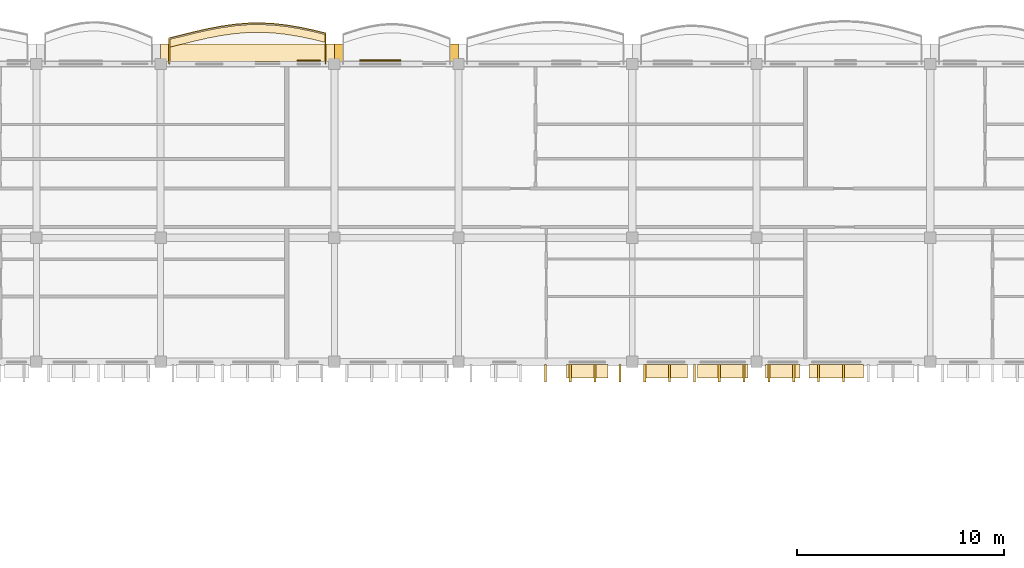
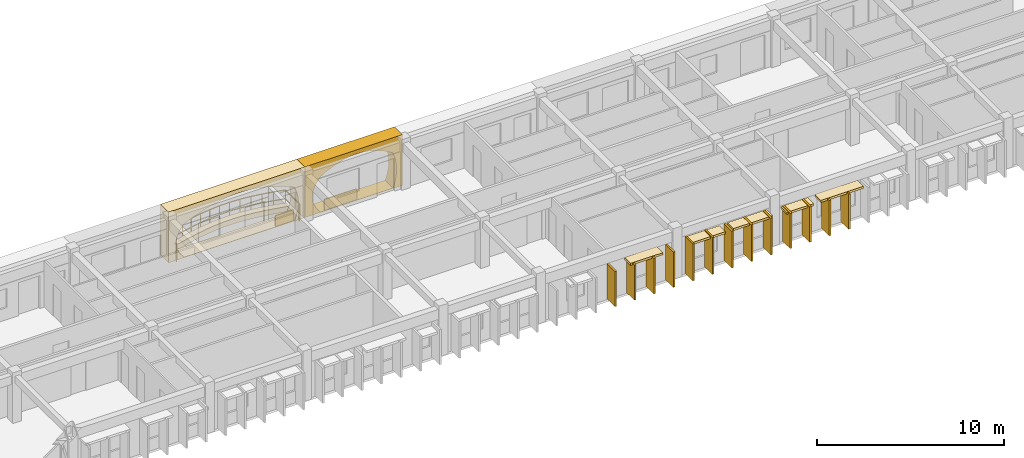
# One storey, part 48 of 59: 23 coverings, 1 railing.
"""IFC4 building model written with IfcOpenShell, lengths in metres."""

from ifc_helpers import new_model, si_unit, direction, frame, origin, origin_2d, place, context, subcontext, project, spatial, polyline, rectangle, outline, extrude, material, layer, layer_set, type_object, element, save


model = new_model("IFC4")

# Units and contexts
model_context = context("Model", 3, precision=1e-05, world=origin(), true_north=direction((0.0, 1.0)))
body_context = subcontext(model_context, "Body", "Model", "MODEL_VIEW")
ifc_project = project(units=[si_unit("LENGTHUNIT", "METRE"), si_unit("AREAUNIT", "SQUARE_METRE"), si_unit("VOLUMEUNIT", "CUBIC_METRE"), si_unit("PLANEANGLEUNIT", "RADIAN"), si_unit("MASSUNIT", "GRAM", prefix="KILO"), si_unit("THERMODYNAMICTEMPERATUREUNIT", "KELVIN")], contexts=[model_context])

# Site, building, storey
site_placement = place(None, origin())
site = spatial("IfcSite", under=ifc_project, at=site_placement, CompositionType="ELEMENT")
building_placement = place(site_placement, origin())
building = spatial("IfcBuilding", under=site, at=building_placement, Name="Thalorik Housing Commons", CompositionType="ELEMENT")
storey_placement = place(building_placement, frame((0.0, 0.0, 27.89990234375)))
storey = spatial("IfcBuildingStorey", under=building, at=storey_placement, Name="L08", CompositionType="ELEMENT", Elevation=27.89990234375)

# Coverings
ifc_material_1 = material(Name="Precast concrete C40/50", Category="concrete")
ifc_layer_1 = layer(ifc_material_1, 0.85009765625, Name="Precast concrete C40/50", Category="concrete")
ifc_layer_set_1 = layer_set([ifc_layer_1], Name="Precast concrete C40/50")
covering_type_1 = type_object("IfcCoveringType", Name="ARC-CLD-CUSH-850", PredefinedType="CLADDING", material=ifc_layer_set_1)
covering_1_placement = place(storey_placement, frame((112.199951171875, 124.1474609375, 0.0), z_axis=(0.0, 0.0, 1.0), x_axis=(-1.0, 0.0, 0.0)))
element("IfcCovering", 1, at=covering_1_placement, inside=storey, type_object=covering_type_1, Name="L08 White Precast Curved Cushion Bay Frame 2718", PredefinedType="CLADDING", context=body_context, shape_type="SweptSolid", body=[
    extrude(outline(polyline([(-3.0, 0.0), (3.0, 0.0), (3.0, 3.300048828125), (-3.0, 3.300048828125), (-3.0, 0.0)]), holes=[polyline([(2.0400390625, 0.02490234375), (2.3232421875, 0.407470703125), (2.493408203125, 0.7900390625), (2.550048828125, 1.172607421875), (2.493408203125, 1.554931640625), (2.3232421875, 1.9375), (2.0400390625, 2.320068359375), (1.66748046875, 2.539306640625), (1.294921875, 2.711181640625), (0.922607421875, 2.8505859375), (0.550048828125, 2.954345703125), (0.177490234375, 3.018310546875), (-0.195068359375, 3.0400390625), (-0.5673828125, 3.018310546875), (-0.93994140625, 2.954345703125), (-1.3125, 2.8505859375), (-1.68505859375, 2.711181640625), (-2.0576171875, 2.539306640625), (-2.429931640625, 2.320068359375), (-2.55029296875, 1.9375), (-2.62255859375, 1.554931640625), (-2.646484375, 1.172607421875), (-2.62255859375, 0.7900390625), (-2.55029296875, 0.407470703125), (-2.429931640625, 0.02490234375), (2.0400390625, 0.02490234375)])]), frame((0.0, 0.425048828125, 0.0), z_axis=(0.0, -1.0, 0.0), x_axis=(1.0, 0.0, 0.0)), (0.0, 0.0, 1.0), 0.85009765625),
])
covering_2_placement = place(storey_placement, frame((105.0, 124.1474609375, 0.0), z_axis=(0.0, 0.0, 1.0), x_axis=(-1.0, 0.0, 0.0)))
element("IfcCovering", 2, at=covering_2_placement, inside=storey, type_object=covering_type_1, Name="L08 White Precast Curved Cushion Bay Frame 2720", PredefinedType="CLADDING", context=body_context, shape_type="SweptSolid", body=[
    extrude(outline(polyline([(-4.199951171875, 0.0), (4.199951171875, 0.0), (4.199951171875, 3.300048828125), (-4.199951171875, 3.300048828125), (-4.199951171875, 0.0)]), holes=[polyline([(3.239990234375, 0.02490234375), (3.523193359375, 0.387451171875), (3.693359375, 0.75), (3.75, 1.112548828125), (3.693359375, 1.47509765625), (3.523193359375, 1.83740234375), (3.239990234375, 2.199951171875), (2.673828125, 2.455810546875), (2.107421875, 2.656494140625), (1.541259765625, 2.819091796875), (0.97509765625, 2.940185546875), (0.40869140625, 3.014892578125), (-0.157470703125, 3.0400390625), (-0.723876953125, 3.014892578125), (-1.2900390625, 2.940185546875), (-1.856201171875, 2.819091796875), (-2.422607421875, 2.656494140625), (-2.98876953125, 2.455810546875), (-3.554931640625, 2.199951171875), (-3.691162109375, 1.83740234375), (-3.77294921875, 1.47509765625), (-3.800048828125, 1.112548828125), (-3.77294921875, 0.75), (-3.691162109375, 0.387451171875), (-3.554931640625, 0.02490234375), (3.239990234375, 0.02490234375)])]), frame((0.0, 0.425048828125, 0.0), z_axis=(0.0, -1.0, 0.0), x_axis=(1.0, 0.0, 0.0)), (0.0, 0.0, 1.0), 0.85009765625),
])
ifc_layer_2 = layer(ifc_material_1, 0.85009765625, Name="Precast concrete C40/50", Category="concrete")
ifc_layer_set_2 = layer_set([ifc_layer_2], Name="Precast concrete C40/50")
covering_type_2 = type_object("IfcCoveringType", Name="ARC-CLD-FIN-850", PredefinedType="CLADDING", material=ifc_layer_set_2)
for number, where, z_axis, x_axis, name in (
    (3, (119.39990234375, 108.652587890625, 0.0400390625), (0.0, 0.0, 1.0), (1.0, 0.0, 0.0), "L08 Courtyard Precast Vertical Brise-Soleil Fin 2789"),
    (4, (120.60009765625, 108.652587890625, 0.0400390625), (0.0, 0.0, 1.0), (1.0, 0.0, 0.0), "L08 Courtyard Precast Vertical Brise-Soleil Fin 2790"),
    (5, (121.800048828125, 108.652587890625, 0.0400390625), (0.0, 0.0, 1.0), (1.0, 0.0, 0.0), "L08 Courtyard Precast Vertical Brise-Soleil Fin 2791"),
    (6, (123.0, 108.652587890625, 0.0400390625), (0.0, 0.0, 1.0), (1.0, 0.0, 0.0), "L08 Courtyard Precast Vertical Brise-Soleil Fin 2792"),
):
    element("IfcCovering", number, at=place(storey_placement, frame(where, z_axis=z_axis, x_axis=x_axis)), inside=storey, type_object=covering_type_2, Name=name, PredefinedType="CLADDING", context=body_context, shape_type="SweptSolid", body=[
        extrude(rectangle(XDim=0.110107421875, YDim=0.85009765625, at=origin_2d()), origin(), (0.0, 0.0, 1.0), 2.294921875),
    ])
for number, where, z_axis, x_axis, name in (
    (7, (124.199951171875, 108.652587890625, 0.0400390625), (0.0, 0.0, 1.0), (1.0, 0.0, 0.0), "L08 Courtyard Precast Vertical Brise-Soleil Fin 2795"),
    (8, (125.39990234375, 108.652587890625, 0.0400390625), (0.0, 0.0, 1.0), (1.0, 0.0, 0.0), "L08 Courtyard Precast Vertical Brise-Soleil Fin 2796"),
    (9, (126.60009765625, 108.652587890625, 0.0400390625), (0.0, 0.0, 1.0), (1.0, 0.0, 0.0), "L08 Courtyard Precast Vertical Brise-Soleil Fin 2797"),
    (10, (127.800048828125, 108.652587890625, 0.0400390625), (0.0, 0.0, 1.0), (1.0, 0.0, 0.0), "L08 Courtyard Precast Vertical Brise-Soleil Fin 2798"),
    (11, (129.0, 108.652587890625, 0.0400390625), (0.0, 0.0, 1.0), (1.0, 0.0, 0.0), "L08 Courtyard Precast Vertical Brise-Soleil Fin 2799"),
):
    element("IfcCovering", number, at=place(storey_placement, frame(where, z_axis=z_axis, x_axis=x_axis)), inside=storey, type_object=covering_type_2, Name=name, PredefinedType="CLADDING", context=body_context, shape_type="SweptSolid", body=[
        extrude(rectangle(XDim=0.110107421875, YDim=0.85009765625, at=origin_2d()), origin(), (0.0, 0.0, 1.0), 2.39501953125),
    ])
for number, where, z_axis, x_axis, name in (
    (12, (130.199951171875, 108.652587890625, 0.0400390625), (0.0, 0.0, 1.0), (1.0, 0.0, 0.0), "L08 Courtyard Precast Vertical Brise-Soleil Fin 2802"),
    (13, (131.39990234375, 108.652587890625, 0.0400390625), (0.0, 0.0, 1.0), (1.0, 0.0, 0.0), "L08 Courtyard Precast Vertical Brise-Soleil Fin 2803"),
    (14, (132.60009765625, 108.652587890625, 0.0400390625), (0.0, 0.0, 1.0), (1.0, 0.0, 0.0), "L08 Courtyard Precast Vertical Brise-Soleil Fin 2804"),
    (15, (133.800048828125, 108.652587890625, 0.0400390625), (0.0, 0.0, 1.0), (1.0, 0.0, 0.0), "L08 Courtyard Precast Vertical Brise-Soleil Fin 2805"),
):
    element("IfcCovering", number, at=place(storey_placement, frame(where, z_axis=z_axis, x_axis=x_axis)), inside=storey, type_object=covering_type_2, Name=name, PredefinedType="CLADDING", context=body_context, shape_type="SweptSolid", body=[
        extrude(rectangle(XDim=0.110107421875, YDim=0.85009765625, at=origin_2d()), origin(), (0.0, 0.0, 1.0), 2.294921875),
    ])
ifc_layer_3 = layer(ifc_material_1, 0.64990234375, Name="Precast concrete C40/50", Category="concrete")
ifc_layer_set_3 = layer_set([ifc_layer_3], Name="Precast concrete C40/50")
covering_type_3 = type_object("IfcCoveringType", Name="ARC-CLD-HOOD-650", PredefinedType="CLADDING", material=ifc_layer_set_3)
covering_3_placement = place(storey_placement, frame((121.419921875, 108.75244140625, 2.22509765625), z_axis=(0.0, 0.0, 1.0), x_axis=(1.0, 0.0, 0.0)))
element("IfcCovering", 16, at=covering_3_placement, inside=storey, type_object=covering_type_3, Name="L08 Courtyard Precast Window Sun-Hood 2794", PredefinedType="CLADDING", context=body_context, shape_type="SweptSolid", body=[
    extrude(rectangle(XDim=1.989990234375, YDim=0.64990234375, at=origin_2d()), origin(), (0.0, 0.0, 1.0), 0.139892578125),
])
covering_4_placement = place(storey_placement, frame((125.22998046875, 108.75244140625, 2.25), z_axis=(0.0, 0.0, 1.0), x_axis=(1.0, 0.0, 0.0)))
element("IfcCovering", 17, at=covering_4_placement, inside=storey, type_object=covering_type_3, Name="L08 Courtyard Precast Window Sun-Hood 2800", PredefinedType="CLADDING", context=body_context, shape_type="SweptSolid", body=[
    extrude(rectangle(XDim=2.06005859375, YDim=0.64990234375, at=origin_2d()), origin(), (0.0, 0.0, 1.0), 0.139892578125),
])
covering_5_placement = place(storey_placement, frame((127.969970703125, 108.75244140625, 2.27001953125), z_axis=(0.0, 0.0, 1.0), x_axis=(1.0, 0.0, 0.0)))
element("IfcCovering", 18, at=covering_5_placement, inside=storey, type_object=covering_type_3, Name="L08 Courtyard Precast Window Sun-Hood 2801", PredefinedType="CLADDING", context=body_context, shape_type="SweptSolid", body=[
    extrude(rectangle(XDim=2.419921875, YDim=0.64990234375, at=origin_2d()), origin(), (0.0, 0.0, 1.0), 0.139892578125),
])
covering_6_placement = place(storey_placement, frame((130.875, 108.75244140625, 2.169921875), z_axis=(0.0, 0.0, 1.0), x_axis=(1.0, 0.0, 0.0)))
element("IfcCovering", 19, at=covering_6_placement, inside=storey, type_object=covering_type_3, Name="L08 Courtyard Precast Window Sun-Hood 2809", PredefinedType="CLADDING", context=body_context, shape_type="SweptSolid", body=[
    extrude(rectangle(XDim=1.659912109375, YDim=0.64990234375, at=origin_2d()), origin(), (0.0, 0.0, 1.0), 0.139892578125),
])
covering_7_placement = place(storey_placement, frame((133.45751953125, 108.75244140625, 2.22509765625), z_axis=(0.0, 0.0, 1.0), x_axis=(1.0, 0.0, 0.0)))
element("IfcCovering", 20, at=covering_7_placement, inside=storey, type_object=covering_type_3, Name="L08 Courtyard Precast Window Sun-Hood 2810", PredefinedType="CLADDING", context=body_context, shape_type="SweptSolid", body=[
    extrude(rectangle(XDim=2.6201171875, YDim=0.64990234375, at=origin_2d()), origin(), (0.0, 0.0, 1.0), 0.139892578125),
])
ifc_material_2 = material(Name="Terracotta red mineral fibre-cement panel", Category="masonry")
ifc_layer_4 = layer(ifc_material_2, 0.054931640625, Name="Terracotta red mineral fibre-cement panel", Category="masonry")
ifc_layer_set_4 = layer_set([ifc_layer_4], Name="Terracotta red mineral fibre-cement panel")
covering_type_4 = type_object("IfcCoveringType", Name="ARC-CLD-RED-55", PredefinedType="CLADDING", material=ifc_layer_set_4)
covering_8_placement = place(storey_placement, frame((107.955078125, 123.7548828125, 0.05029296875), z_axis=(0.0, 0.0, 1.0), x_axis=(-1.0, 0.0, 0.0)))
element("IfcCovering", 21, at=covering_8_placement, inside=storey, type_object=covering_type_4, Name="L08 De Stijl Recessed Window Spandrel 2721", PredefinedType="CLADDING", context=body_context, shape_type="SweptSolid", body=[
    extrude(rectangle(XDim=1.10009765625, YDim=0.054931640625, at=origin_2d()), origin(), (0.0, 0.0, 1.0), 0.699951171875),
])
ifc_material_3 = material(Name="Mineral ochre architectural terracotta panel", Category="masonry")
ifc_layer_5 = layer(ifc_material_3, 0.06494140625, Name="Mineral ochre architectural terracotta panel", Category="masonry")
ifc_layer_set_5 = layer_set([ifc_layer_5], Name="Mineral ochre architectural terracotta panel")
covering_type_5 = type_object("IfcCoveringType", Name="ARC-CLD-YEL-65", PredefinedType="CLADDING", material=ifc_layer_set_5)
covering_9_placement = place(storey_placement, frame((111.409912109375, 123.760009765625, 0.05029296875), z_axis=(0.0, 0.0, 1.0), x_axis=(-1.0, 0.0, 0.0)))
element("IfcCovering", 22, at=covering_9_placement, inside=storey, type_object=covering_type_5, Name="L08 De Stijl Recessed Window Spandrel 2719", PredefinedType="CLADDING", context=body_context, shape_type="SweptSolid", body=[
    extrude(rectangle(XDim=1.97998046875, YDim=0.06494140625, at=origin_2d()), origin(), (0.0, 0.0, 1.0), 0.699951171875),
])
ifc_material_4 = material(Name="Planted vegetated substrate and terracotta trough", Category="masonry")
ifc_layer_6 = layer(ifc_material_4, 0.340087890625, Name="Planted vegetated substrate and terracotta trough", Category="masonry")
ifc_layer_set_6 = layer_set([ifc_layer_6], Name="Planted vegetated substrate and terracotta trough")
covering_type_6 = type_object("IfcCoveringType", Name="ARC-COV-PLANTER", PredefinedType="USERDEFINED", material=ifc_layer_set_6)
covering_10_placement = place(storey_placement, origin())
element("IfcCovering", 23, at=covering_10_placement, inside=storey, type_object=covering_type_6, Name="L08 Balcony Slab-Edge Planted Trough 5515", ObjectType="PLANTER", PredefinedType="USERDEFINED", context=body_context, shape_type="SweptSolid", body=[
    extrude(outline(polyline([(108.780029296875, 125.017822265625), (108.14990234375, 125.170166015625), (107.52001953125, 125.302978515625), (106.889892578125, 125.40771484375), (106.260009765625, 125.477294921875), (105.6298828125, 125.507080078125), (105.0, 125.49560546875), (104.3701171875, 125.443115234375), (103.739990234375, 125.35400390625), (103.110107421875, 125.234619140625), (102.47998046875, 125.0927734375), (101.85009765625, 124.938720703125), (101.219970703125, 124.78271484375), (101.219970703125, 124.402587890625), (101.85009765625, 124.55859375), (102.47998046875, 124.712890625), (103.110107421875, 124.8544921875), (103.739990234375, 124.97412109375), (104.3701171875, 125.063232421875), (105.0, 125.115478515625), (105.6298828125, 125.127197265625), (106.260009765625, 125.097412109375), (106.889892578125, 125.02783203125), (107.52001953125, 124.923095703125), (108.14990234375, 124.7900390625), (108.780029296875, 124.6376953125), (108.780029296875, 125.017822265625)])), origin(), (0.0, 0.0, 1.0), 0.340087890625),
])

# Railing
ifc_material_5 = material(Name="Steel S355", Category="steel")
railing_type = type_object("IfcRailingType", Name="ARC-RL-BAL-115", PredefinedType="BALUSTRADE", material=ifc_material_5)
railing_placement = place(storey_placement, frame((108.780029296875, 123.60009765625, 0.0)))
element("IfcRailing", 24, at=railing_placement, inside=storey, type_object=railing_type, Name="L08 Cushion Balcony Guardrail 199", PredefinedType="BALUSTRADE", context=body_context, shape_type="SweptSolid", body=[
    extrude(rectangle(XDim=0.050048828125, YDim=0.050048828125, at=origin_2d()), frame((0.0, 0.0, 1.125), z_axis=(0.0, 1.0, 0.0), x_axis=(-1.0, 0.0, 0.0)), (0.0, 0.0, 1.0), 1.48779296875),
    extrude(rectangle(XDim=0.050048828125, YDim=0.050048828125, at=origin_2d()), frame((0.0, 0.0, 0.5498046875), z_axis=(0.0, 1.0, 0.0), x_axis=(-1.0, 0.0, 0.0)), (0.0, 0.0, 1.0), 1.48779296875),
    extrude(rectangle(XDim=0.050048828125, YDim=0.050048828125, at=origin_2d()), frame((0.0, 1.48779296875, 1.125), z_axis=(-0.972082208573, 0.234640533104, 0.0), x_axis=(-0.234640533104, -0.972082208573, 0.0)), (0.0, 0.0, 1.0), 0.648193359375),
    extrude(rectangle(XDim=0.050048828125, YDim=0.050048828125, at=origin_2d()), frame((0.0, 1.48779296875, 0.5498046875), z_axis=(-0.972082208573, 0.234640533104, 0.0), x_axis=(-0.234640533104, -0.972082208573, 0.0)), (0.0, 0.0, 1.0), 0.648193359375),
    extrude(rectangle(XDim=0.050048828125, YDim=0.050048828125, at=origin_2d()), frame((-0.630126953125, 1.639892578125, 1.125), z_axis=(-0.978408728904, 0.206679363276, 0.0), x_axis=(-0.206679363276, -0.978408728904, 0.0)), (0.0, 0.0, 1.0), 0.643798828125),
    extrude(rectangle(XDim=0.050048828125, YDim=0.050048828125, at=origin_2d()), frame((-0.630126953125, 1.639892578125, 0.5498046875), z_axis=(-0.978408728904, 0.206679363276, 0.0), x_axis=(-0.206679363276, -0.978408728904, 0.0)), (0.0, 0.0, 1.0), 0.643798828125),
    extrude(rectangle(XDim=0.050048828125, YDim=0.050048828125, at=origin_2d()), frame((-1.260009765625, 1.77294921875, 1.125), z_axis=(-0.98646613711, 0.163965119264, 0.0), x_axis=(-0.163965119264, -0.98646613711, 0.0)), (0.0, 0.0, 1.0), 0.638671875),
    extrude(rectangle(XDim=0.050048828125, YDim=0.050048828125, at=origin_2d()), frame((-1.260009765625, 1.77294921875, 0.5498046875), z_axis=(-0.98646613711, 0.163965119264, 0.0), x_axis=(-0.163965119264, -0.98646613711, 0.0)), (0.0, 0.0, 1.0), 0.638671875),
    extrude(rectangle(XDim=0.050048828125, YDim=0.050048828125, at=origin_2d()), frame((-1.89013671875, 1.877685546875, 1.125), z_axis=(-0.993954005493, 0.109797244793, 0.0), x_axis=(-0.109797244793, -0.993954005493, 0.0)), (0.0, 0.0, 1.0), 0.6337890625),
    extrude(rectangle(XDim=0.050048828125, YDim=0.050048828125, at=origin_2d()), frame((-1.89013671875, 1.877685546875, 0.5498046875), z_axis=(-0.993954005493, 0.109797244793, 0.0), x_axis=(-0.109797244793, -0.993954005493, 0.0)), (0.0, 0.0, 1.0), 0.6337890625),
    extrude(rectangle(XDim=0.050048828125, YDim=0.050048828125, at=origin_2d()), frame((-2.52001953125, 1.947265625, 1.125), z_axis=(-0.998884713002, 0.047215782637, 0.0), x_axis=(-0.047215782637, -0.998884713002, 0.0)), (0.0, 0.0, 1.0), 0.630859375),
    extrude(rectangle(XDim=0.050048828125, YDim=0.050048828125, at=origin_2d()), frame((-2.52001953125, 1.947265625, 0.5498046875), z_axis=(-0.998884713002, 0.047215782637, 0.0), x_axis=(-0.047215782637, -0.998884713002, 0.0)), (0.0, 0.0, 1.0), 0.630859375),
    extrude(rectangle(XDim=0.050048828125, YDim=0.050048828125, at=origin_2d()), frame((-3.150146484375, 1.97705078125, 1.125), z_axis=(-0.999826978393, -0.018601432156, 0.0), x_axis=(0.018601432156, -0.999826978393, 0.0)), (0.0, 0.0, 1.0), 0.6298828125),
    extrude(rectangle(XDim=0.050048828125, YDim=0.050048828125, at=origin_2d()), frame((-3.150146484375, 1.97705078125, 0.5498046875), z_axis=(-0.999826978393, -0.018601432156, 0.0), x_axis=(0.018601432156, -0.999826978393, 0.0)), (0.0, 0.0, 1.0), 0.6298828125),
    extrude(rectangle(XDim=0.050048828125, YDim=0.050048828125, at=origin_2d()), frame((-3.780029296875, 1.96533203125, 1.125), z_axis=(-0.996577651619, -0.082661867227, 0.0), x_axis=(0.082661867227, -0.996577651619, 0.0)), (0.0, 0.0, 1.0), 0.632080078125),
    extrude(rectangle(XDim=0.050048828125, YDim=0.050048828125, at=origin_2d()), frame((-3.780029296875, 1.96533203125, 0.5498046875), z_axis=(-0.996577651619, -0.082661867227, 0.0), x_axis=(0.082661867227, -0.996577651619, 0.0)), (0.0, 0.0, 1.0), 0.632080078125),
    extrude(rectangle(XDim=0.050048828125, YDim=0.050048828125, at=origin_2d()), frame((-4.409912109375, 1.9130859375, 1.125), z_axis=(-0.990147996171, -0.140024803798, 0.0), x_axis=(0.140024803798, -0.990147996171, 0.0)), (0.0, 0.0, 1.0), 0.636474609375),
    extrude(rectangle(XDim=0.050048828125, YDim=0.050048828125, at=origin_2d()), frame((-4.409912109375, 1.9130859375, 0.5498046875), z_axis=(-0.990147996171, -0.140024803798, 0.0), x_axis=(0.140024803798, -0.990147996171, 0.0)), (0.0, 0.0, 1.0), 0.636474609375),
    extrude(rectangle(XDim=0.050048828125, YDim=0.050048828125, at=origin_2d()), frame((-5.0400390625, 1.823974609375, 1.125), z_axis=(-0.982508153778, -0.186219568681, 0.0), x_axis=(0.186219568681, -0.982508153778, 0.0)), (0.0, 0.0, 1.0), 0.64111328125),
    extrude(rectangle(XDim=0.050048828125, YDim=0.050048828125, at=origin_2d()), frame((-5.0400390625, 1.823974609375, 0.5498046875), z_axis=(-0.982508153778, -0.186219568681, 0.0), x_axis=(0.186219568681, -0.982508153778, 0.0)), (0.0, 0.0, 1.0), 0.64111328125),
    extrude(rectangle(XDim=0.050048828125, YDim=0.050048828125, at=origin_2d()), frame((-5.669921875, 1.70458984375, 1.125), z_axis=(-0.975587490028, -0.219611132006, 0.0), x_axis=(0.219611132006, -0.975587490028, 0.0)), (0.0, 0.0, 1.0), 0.64599609375),
    extrude(rectangle(XDim=0.050048828125, YDim=0.050048828125, at=origin_2d()), frame((-5.669921875, 1.70458984375, 0.5498046875), z_axis=(-0.975587490028, -0.219611132006, 0.0), x_axis=(0.219611132006, -0.975587490028, 0.0)), (0.0, 0.0, 1.0), 0.64599609375),
    extrude(rectangle(XDim=0.050048828125, YDim=0.050048828125, at=origin_2d()), frame((-6.300048828125, 1.562744140625, 1.125), z_axis=(-0.971370051234, -0.23757151253, 0.0), x_axis=(0.23757151253, -0.971370051234, 0.0)), (0.0, 0.0, 1.0), 0.6484375),
    extrude(rectangle(XDim=0.050048828125, YDim=0.050048828125, at=origin_2d()), frame((-6.300048828125, 1.562744140625, 0.5498046875), z_axis=(-0.971370051234, -0.23757151253, 0.0), x_axis=(0.23757151253, -0.971370051234, 0.0)), (0.0, 0.0, 1.0), 0.6484375),
    extrude(rectangle(XDim=0.050048828125, YDim=0.050048828125, at=origin_2d()), frame((-6.929931640625, 1.40869140625, 1.125), z_axis=(-0.970605262644, -0.240677012047, 0.0), x_axis=(0.240677012047, -0.970605262644, 0.0)), (0.0, 0.0, 1.0), 0.649169921875),
    extrude(rectangle(XDim=0.050048828125, YDim=0.050048828125, at=origin_2d()), frame((-6.929931640625, 1.40869140625, 0.5498046875), z_axis=(-0.970605262644, -0.240677012047, 0.0), x_axis=(0.240677012047, -0.970605262644, 0.0)), (0.0, 0.0, 1.0), 0.649169921875),
    extrude(rectangle(XDim=0.050048828125, YDim=0.050048828125, at=origin_2d()), frame((-7.56005859375, 1.25244140625, 1.125), z_axis=(0.0, -1.0, 0.0), x_axis=(1.0, 0.0, 0.0)), (0.0, 0.0, 1.0), 1.25244140625),
    extrude(rectangle(XDim=0.050048828125, YDim=0.050048828125, at=origin_2d()), frame((-7.56005859375, 1.25244140625, 0.5498046875), z_axis=(0.0, -1.0, 0.0), x_axis=(1.0, 0.0, 0.0)), (0.0, 0.0, 1.0), 1.25244140625),
    extrude(rectangle(XDim=0.0419921875, YDim=0.0419921875, at=origin_2d()), origin(), (0.0, 0.0, 1.0), 1.099853515625),
    extrude(rectangle(XDim=0.0419921875, YDim=0.0419921875, at=origin_2d()), frame((0.0, 1.48779296875, 0.0)), (0.0, 0.0, 1.0), 1.099853515625),
    extrude(rectangle(XDim=0.0419921875, YDim=0.0419921875, at=origin_2d()), frame((-0.630126953125, 1.639892578125, 0.0)), (0.0, 0.0, 1.0), 1.099853515625),
    extrude(rectangle(XDim=0.0419921875, YDim=0.0419921875, at=origin_2d()), frame((-1.260009765625, 1.77294921875, 0.0)), (0.0, 0.0, 1.0), 1.099853515625),
    extrude(rectangle(XDim=0.0419921875, YDim=0.0419921875, at=origin_2d()), frame((-1.89013671875, 1.877685546875, 0.0)), (0.0, 0.0, 1.0), 1.099853515625),
    extrude(rectangle(XDim=0.0419921875, YDim=0.0419921875, at=origin_2d()), frame((-2.52001953125, 1.947265625, 0.0)), (0.0, 0.0, 1.0), 1.099853515625),
    extrude(rectangle(XDim=0.0419921875, YDim=0.0419921875, at=origin_2d()), frame((-3.150146484375, 1.97705078125, 0.0)), (0.0, 0.0, 1.0), 1.099853515625),
    extrude(rectangle(XDim=0.0419921875, YDim=0.0419921875, at=origin_2d()), frame((-3.780029296875, 1.96533203125, 0.0)), (0.0, 0.0, 1.0), 1.099853515625),
    extrude(rectangle(XDim=0.0419921875, YDim=0.0419921875, at=origin_2d()), frame((-4.409912109375, 1.9130859375, 0.0)), (0.0, 0.0, 1.0), 1.099853515625),
    extrude(rectangle(XDim=0.0419921875, YDim=0.0419921875, at=origin_2d()), frame((-5.0400390625, 1.823974609375, 0.0)), (0.0, 0.0, 1.0), 1.099853515625),
    extrude(rectangle(XDim=0.0419921875, YDim=0.0419921875, at=origin_2d()), frame((-5.669921875, 1.70458984375, 0.0)), (0.0, 0.0, 1.0), 1.099853515625),
    extrude(rectangle(XDim=0.0419921875, YDim=0.0419921875, at=origin_2d()), frame((-6.300048828125, 1.562744140625, 0.0)), (0.0, 0.0, 1.0), 1.099853515625),
    extrude(rectangle(XDim=0.0419921875, YDim=0.0419921875, at=origin_2d()), frame((-6.929931640625, 1.40869140625, 0.0)), (0.0, 0.0, 1.0), 1.099853515625),
    extrude(rectangle(XDim=0.0419921875, YDim=0.0419921875, at=origin_2d()), frame((-7.56005859375, 1.25244140625, 0.0)), (0.0, 0.0, 1.0), 1.099853515625),
    extrude(rectangle(XDim=0.0419921875, YDim=0.0419921875, at=origin_2d()), frame((-7.56005859375, 0.0, 0.0)), (0.0, 0.0, 1.0), 1.099853515625),
])

save(model, "model.ifc")
